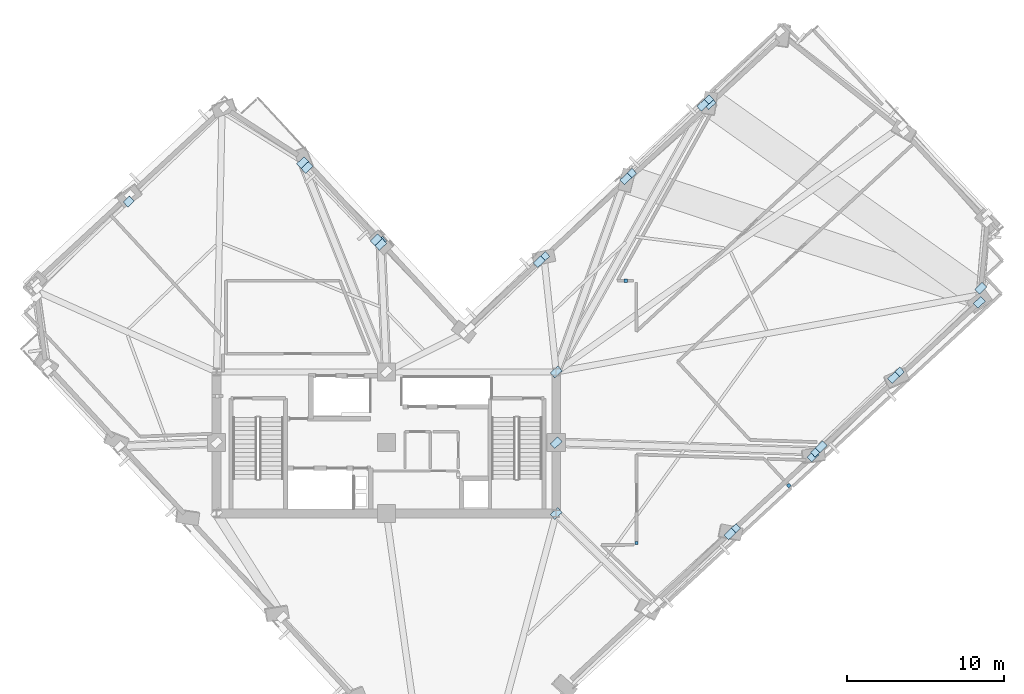
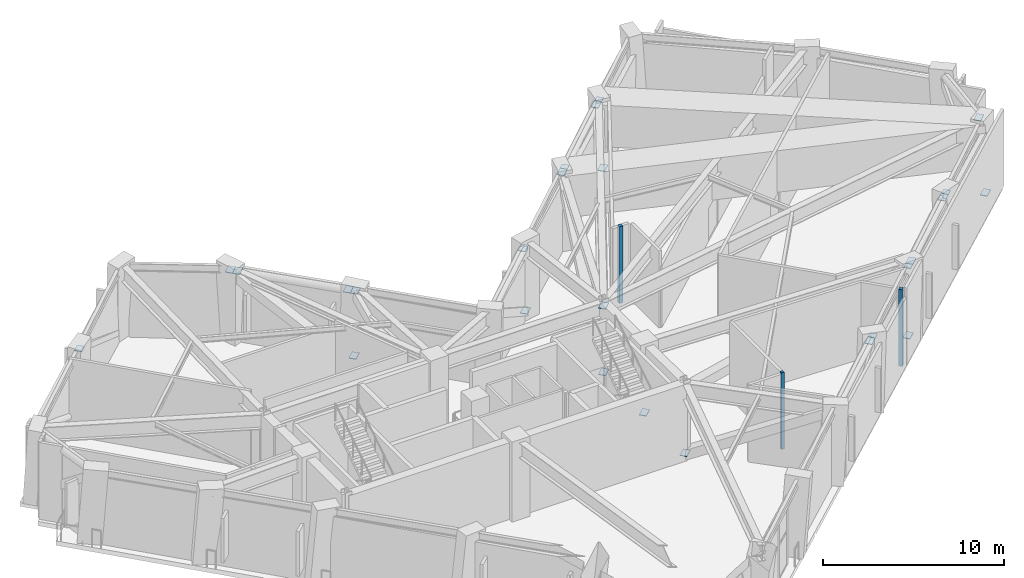
# One storey, part 7 of 15: 29 plates.
"""IFC4 building model written with IfcOpenShell, lengths in metres."""

from ifc_helpers import new_model, si_unit, direction, frame, origin, origin_2d, place, context, subcontext, project, spatial, rectangle, extrude, material, layer, layer_set, type_object, element, save


model = new_model("IFC4")

# Units and contexts
model_context = context("Model", 3, precision=1e-05, world=origin(), true_north=direction((0.0, 1.0)))
body_context = subcontext(model_context, "Body", "Model", "MODEL_VIEW")
ifc_project = project(units=[si_unit("LENGTHUNIT", "METRE"), si_unit("AREAUNIT", "SQUARE_METRE"), si_unit("VOLUMEUNIT", "CUBIC_METRE"), si_unit("PLANEANGLEUNIT", "RADIAN"), si_unit("MASSUNIT", "GRAM", prefix="KILO")], contexts=[model_context])

# Site, building, storey
site_placement = place(None, origin())
site = spatial("IfcSite", under=ifc_project, at=site_placement, CompositionType="ELEMENT")
building_placement = place(site_placement, origin())
building = spatial("IfcBuilding", under=site, at=building_placement, Name="Gaonmaruhae Medical Tower", CompositionType="ELEMENT")
storey_placement = place(building_placement, frame((0.0, 0.0, 205.800048828125)))
storey = spatial("IfcBuildingStorey", under=building, at=storey_placement, Name="L49", CompositionType="ELEMENT", Elevation=205.800048828125)

# Plates
ifc_material_1 = material(Name="Steel HSA650 (650 MPa)", Category="steel")
ifc_layer_1 = layer(ifc_material_1, 0.035888671875)
ifc_layer_set_1 = layer_set([ifc_layer_1], Name="Steel HSA650 (650 MPa)")
plate_type_1 = type_object("IfcPlateType", Name="GP-01 Outrigger Gusset & End Cap Plate", PredefinedType="USERDEFINED", material=ifc_layer_set_1)
for number, where, z_axis, x_axis, name in (
    (1, (35.60009765625, 7.800048828125, 0.33203125), (0.0, 0.0, 1.0), (0.734322509436, 0.678800745533, 0.0), "L49 Gusset Cap Plate PLT-L49-OTD01A"),
    (2, (35.60009765625, 12.300048828125, 0.33203125), (0.0, 0.0, 1.0), (0.734322509436, 0.678800745533, 0.0), "L49 Gusset Cap Plate PLT-L49-OTD02A"),
    (3, (52.153076171875, 11.75390625, 4.81201171875), (0.0, 0.0, 1.0), (0.72296714591, 0.690882411077, 0.0), "L49 Gusset Cap Plate PLT-L49-OTD02B"),
    (4, (35.60009765625, 16.800048828125, 0.33203125), (0.0, 0.0, 1.0), (0.734322509436, 0.678800745533, 0.0), "L49 Gusset Cap Plate PLT-L49-OTD03A"),
    (5, (45.232666015625, 34.049072265625, 4.81201171875), (0.0, 0.0, 1.0), (0.72296714591, 0.690882411077, 0.0), "L49 Gusset Cap Plate PLT-L49-OTD03B"),
    (6, (40.02734375, 29.07470703125, 4.81201171875), (0.0, 0.0, 1.0), (0.72296714591, 0.690882411077, 0.0), "L49 Gusset Cap Plate PLT-L49-OTD04B"),
    (7, (35.60009765625, 16.800048828125, 4.81201171875), (0.0, 0.0, 1.0), (0.72296714591, 0.690882411077, 0.0), "L49 Gusset Cap Plate PLT-L49-OTC04A"),
    (8, (24.44287109375, 24.901611328125, 4.81201171875), (0.0, 0.0, 1.0), (0.72296714591, 0.690882411077, 0.0), "L49 Gusset Cap Plate PLT-L49-OTD05B"),
    (9, (19.468505859375, 30.107177734375, 4.81201171875), (0.0, 0.0, 1.0), (0.72296714591, 0.690882411077, 0.0), "L49 Gusset Cap Plate PLT-L49-OTD06B"),
    (10, (46.94775390625, 6.779541015625, 4.81201171875), (0.0, 0.0, 1.0), (0.72296714591, 0.690882411077, 0.0), "L49 Gusset Cap Plate PLT-L49-BTD01B"),
    (11, (46.644287109375, 6.4892578125, 4.81201171875), (0.0, 0.0, 1.0), (0.72296714591, 0.690882411077, 0.0), "L49 Gusset Cap Plate PLT-L49-BTC01B"),
    (12, (51.934326171875, 11.447998046875, 0.33203125), (0.0, 0.0, 1.0), (0.734322509436, 0.678800745533, 0.0), "L49 Gusset Cap Plate PLT-L49-BTD02A"),
    (13, (57.358642578125, 16.728271484375, 4.81201171875), (0.0, 0.0, 1.0), (0.72296714591, 0.690882411077, 0.0), "L49 Gusset Cap Plate PLT-L49-BTD02B"),
    (14, (52.456787109375, 12.0439453125, 4.81201171875), (0.0, 0.0, 1.0), (0.72296714591, 0.690882411077, 0.0), "L49 Gusset Cap Plate PLT-L49-BTC02A"),
    (15, (57.054931640625, 16.43798828125, 4.81201171875), (0.0, 0.0, 1.0), (0.72296714591, 0.690882411077, 0.0), "L49 Gusset Cap Plate PLT-L49-BTC02B"),
    (16, (62.508544921875, 21.22265625, 0.33203125), (0.0, 0.0, 1.0), (0.734322509436, 0.678800745533, 0.0), "L49 Gusset Cap Plate PLT-L49-BTD03A"),
    (17, (62.599365234375, 22.12109375, 4.81201171875), (0.0, 0.0, 1.0), (0.72296714591, 0.690882411077, 0.0), "L49 Gusset Cap Plate PLT-L49-BTC03A"),
    (18, (45.38427734375, 33.85498046875, 0.33203125), (0.0, 0.0, 1.0), (0.734322509436, 0.678800745533, 0.0), "L49 Gusset Cap Plate PLT-L49-BTD04A"),
    (19, (44.928955078125, 33.7587890625, 4.81201171875), (0.0, 0.0, 1.0), (0.72296714591, 0.690882411077, 0.0), "L49 Gusset Cap Plate PLT-L49-BTC04A"),
    (20, (40.330810546875, 29.364990234375, 4.81201171875), (0.0, 0.0, 1.0), (0.72296714591, 0.690882411077, 0.0), "L49 Gusset Cap Plate PLT-L49-BTC04B"),
    (21, (34.81005859375, 24.080078125, 0.33203125), (0.0, 0.0, 1.0), (0.734322509436, 0.678800745533, 0.0), "L49 Gusset Cap Plate PLT-L49-BTD05A"),
    (22, (34.518310546875, 23.81005859375, 4.81201171875), (0.0, 0.0, 1.0), (0.72296714591, 0.690882411077, 0.0), "L49 Gusset Cap Plate PLT-L49-BTC05A"),
    (23, (24.44580078125, 25.053466796875, 0.33203125), (0.0, 0.0, 1.0), (0.734322509436, 0.678800745533, 0.0), "L49 Gusset Cap Plate PLT-L49-BTD06A"),
    (24, (24.15283203125, 25.205322265625, 4.81201171875), (0.0, 0.0, 1.0), (0.72296714591, 0.690882411077, 0.0), "L49 Gusset Cap Plate PLT-L49-BTC06A"),
    (25, (19.7587890625, 29.803466796875, 4.81201171875), (0.0, 0.0, 1.0), (0.72296714591, 0.690882411077, 0.0), "L49 Gusset Cap Plate PLT-L49-BTC06B"),
):
    element("IfcPlate", number, at=place(storey_placement, frame(where, z_axis=z_axis, x_axis=x_axis)), inside=storey, type_object=plate_type_1, Name=name, ObjectType="GUSSET_PLATE", PredefinedType="USERDEFINED", context=body_context, shape_type="SweptSolid", body=[
        extrude(rectangle(XDim=0.64990234375, YDim=0.419921875, at=origin_2d()), origin(), (0.0, 0.0, 1.0), 0.035888671875),
    ])
ifc_layer_2 = layer(ifc_material_1, 0.028076171875)
ifc_layer_set_2 = layer_set([ifc_layer_2], Name="Steel HSA650 (650 MPa)")
plate_type_2 = type_object("IfcPlateType", Name="GP-02 Tube Brace End Cap Gusset Plate", PredefinedType="USERDEFINED", material=ifc_layer_set_2)
plate_1_placement = place(storey_placement, frame((8.4140625, 27.634765625, 4.86572265625), z_axis=(0.0, 0.0, 1.0), x_axis=(0.72296714591, 0.690882411077, 0.0)))
element("IfcPlate", 26, at=plate_1_placement, inside=storey, type_object=plate_type_2, Name="L49 Gusset Cap Plate PLT-L49-CST2B", ObjectType="GUSSET_PLATE", PredefinedType="USERDEFINED", context=body_context, shape_type="SweptSolid", body=[
    extrude(rectangle(XDim=0.56005859375, YDim=0.43994140625, at=origin_2d()), origin(), (0.0, 0.0, 1.0), 0.028076171875),
])
ifc_material_2 = material(Name="Anodised aluminium 6063-T6", Category="aluminium")
ifc_layer_3 = layer(ifc_material_2, 0.011962890625)
ifc_layer_set_3 = layer_set([ifc_layer_3], Name="Anodised aluminium 6063-T6")
plate_type_3 = type_object("IfcPlateType", Name="PP-01 Interior Partition Corner Stiffener Plate", PredefinedType="SHEET", material=ifc_layer_set_3)
plate_2_placement = place(storey_placement, frame((40.699951171875, 5.919921875, 0.0), z_axis=(0.0, 0.0, 1.0), x_axis=(0.0, 1.0, 0.0)))
element("IfcPlate", 27, at=plate_2_placement, inside=storey, type_object=plate_type_3, Name="L49 Partition End Jamb Post Plate PLT-L49-ENDP-PW021-0", PredefinedType="SHEET", context=body_context, shape_type="SweptSolid", body=[
    extrude(rectangle(XDim=0.179931640625, YDim=0.179931640625, at=origin_2d()), origin(), (0.0, 0.0, 1.0), 5.179931640625),
])
for number, where, z_axis, x_axis, name in (
    (28, (50.3974609375, 9.574462890625, 0.0), (0.0, 0.0, 1.0), (0.678954526791, -0.734180325636, 0.0), "L49 Partition Corner Stiffener Plate PLT-L49-JGP-PW024"),
    (29, (40.011474609375, 22.599609375, 0.0), (0.0, 0.0, 1.0), (-0.99999952236, 0.000977384226, 0.0), "L49 Partition Corner Stiffener Plate PLT-L49-JGP-PW040"),
):
    element("IfcPlate", number, at=place(storey_placement, frame(where, z_axis=z_axis, x_axis=x_axis)), inside=storey, type_object=plate_type_3, Name=name, PredefinedType="SHEET", context=body_context, shape_type="SweptSolid", body=[
        extrude(rectangle(XDim=0.219970703125, YDim=0.219970703125, at=origin_2d()), origin(), (0.0, 0.0, 1.0), 5.179931640625),
    ])

save(model, "model.ifc")
